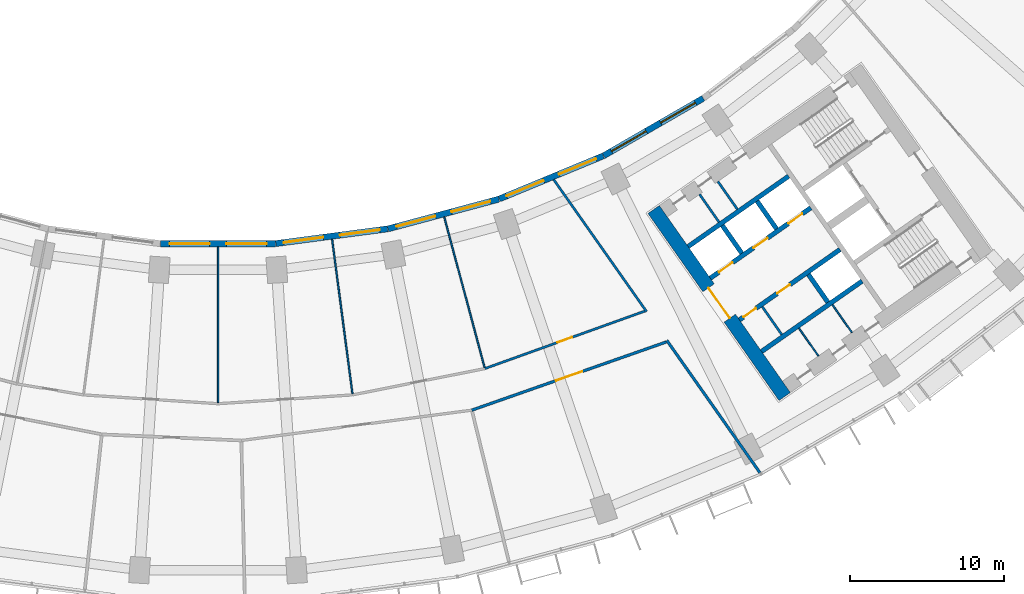
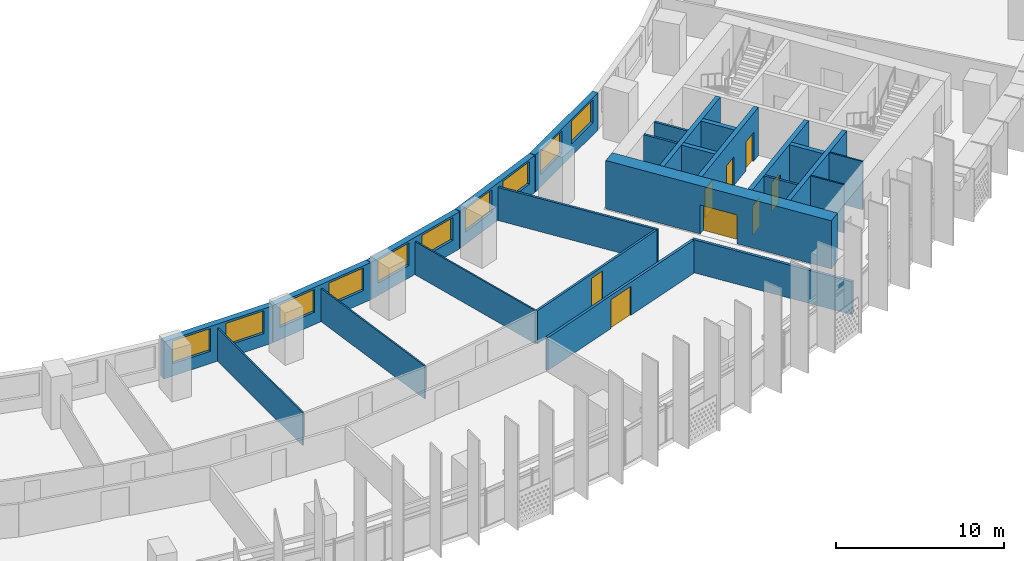
# One storey, part 6 of 31: 25 walls, 10 windows, 8 doors, 18 openings.
"""IFC4 building model written with IfcOpenShell, lengths in metres."""

from ifc_helpers import new_model, si_unit, direction, frame, frame_2d, origin, place, context, subcontext, project, spatial, rectangle, extrude, material, layer, layer_set, type_object, element, fill, save


model = new_model("IFC4")

# Units and contexts
model_context = context("Model", 3, precision=1e-05, world=origin(), true_north=direction((0.0, 1.0)))
body_context = subcontext(model_context, "Body", "Model", "MODEL_VIEW")
ifc_project = project(units=[si_unit("LENGTHUNIT", "METRE"), si_unit("AREAUNIT", "SQUARE_METRE"), si_unit("VOLUMEUNIT", "CUBIC_METRE"), si_unit("PLANEANGLEUNIT", "RADIAN"), si_unit("MASSUNIT", "GRAM", prefix="KILO")], contexts=[model_context])

# Site, building, storey
site_placement = place(None, origin())
site = spatial("IfcSite", under=ifc_project, at=site_placement, CompositionType="ELEMENT")
building_placement = place(site_placement, origin())
building = spatial("IfcBuilding", under=site, at=building_placement, Name="Qamariyya Broadcast Tower", CompositionType="ELEMENT")
storey_placement = place(building_placement, frame((0.0, 0.0, 55.699951171875)))
storey = spatial("IfcBuildingStorey", under=building, at=storey_placement, Name="L10", CompositionType="ELEMENT", Elevation=55.699951171875)

# Wall, opening, door
ifc_material_1 = material(Name="Concrete C70/85", Category="concrete")
ifc_layer_1 = layer(ifc_material_1, 0.89990234375)
ifc_layer_set_1 = layer_set([ifc_layer_1], Name="Core wall 900 mm Concrete C70/85")
wall_type_1 = type_object("IfcWallType", Name="Core wall 900 mm Concrete C70/85", PredefinedType="SHEAR", material=ifc_layer_set_1)
wall_1_placement = place(storey_placement, frame((36.716796875, -66.3369140625, 0.0), z_axis=(0.0, 0.0, 1.0), x_axis=(-0.573577477574, 0.819151315216, 0.0)))
wall_1 = element("IfcWall", 1, at=wall_1_placement, inside=storey, type_object=wall_type_1, Name="k-E-L10-WA", PredefinedType="SHEAR", context=body_context, shape_type="SweptSolid", body=[
    extrude(rectangle(XDim=14.800048828125, YDim=0.89990234375, at=frame_2d((7.39990234375, 0.0))), origin(), (0.0, 0.0, 1.0), 3.5),
])
opening_1_placement = place(wall_1_placement, frame((6.199951171875, 0.0, 0.0)))
opening_1 = element("IfcOpeningElement", 2, at=opening_1_placement, cuts=wall_1, Name="Opening KD3-E1", PredefinedType="OPENING", context=body_context, shape_type="SweptSolid", body=[
    extrude(rectangle(XDim=2.39990234375, YDim=2.10009765625, at=frame_2d((1.199951171875, 1.050048828125))), frame((0.0, 0.4599609375, 0.0), z_axis=(0.0, -1.0, 0.0), x_axis=(1.0, 0.0, 0.0)), (0.0, 0.0, 1.0), 0.919921875),
])
ifc_material_2 = material(Name="Steel fire-resisting door leaf", Category="steel")
door_type_1 = type_object("IfcDoorType", Name="Lift lobby door KD3", OperationType="DOUBLE_DOOR_SINGLE_SWING", PredefinedType="DOOR", material=ifc_material_2)
door_1_placement = place(opening_1_placement, origin())
door_1 = element("IfcDoor", 3, at=door_1_placement, inside=storey, type_object=door_type_1, Name="k-E-L10-WA-D1", OperationType="DOUBLE_DOOR_SINGLE_SWING", OverallHeight=2.10009765625, OverallWidth=2.39990234375, PredefinedType="DOOR", context=body_context, shape_type="SweptSolid", body=[
    extrude(rectangle(XDim=2.39990234375, YDim=2.10009765625, at=frame_2d((1.199951171875, 1.050048828125))), frame((0.0, 0.02490234375, 0.0), z_axis=(0.0, -1.0, 0.0), x_axis=(1.0, 0.0, 0.0)), (0.0, 0.0, 1.0), 0.050048828125),
])
fill(opening_1, door_1)

ifc_material_3 = material(Name="Gypsum board partition")
ifc_layer_2 = layer(ifc_material_3, 0.14990234375)
ifc_layer_set_2 = layer_set([ifc_layer_2], Name="Corridor partition 150 EI 60")
wall_type_2 = type_object("IfcWallType", Name="Corridor partition 150 EI 60", PredefinedType="PARTITIONING", material=ifc_layer_set_2)
wall_2_placement = place(storey_placement, frame((17.2890625, -64.52392578125, 0.0), z_axis=(0.0, 0.0, 1.0), x_axis=(0.941106453562, 0.338110400705, 0.0)))
wall_2 = element("IfcWall", 4, at=wall_2_placement, inside=storey, type_object=wall_type_2, Name="Partition L10-023", PredefinedType="PARTITIONING", context=body_context, shape_type="SweptSolid", body=[
    extrude(rectangle(XDim=11.015869140625, YDim=0.14990234375, at=frame_2d((5.5078125, 0.0))), origin(), (0.0, 0.0, 1.0), 2.400146484375),
])
opening_2_placement = place(wall_2_placement, frame((5.008056640625, 0.0, 0.0)))
opening_2 = element("IfcOpeningElement", 5, at=opening_2_placement, cuts=wall_2, Name="Opening L10-D11", PredefinedType="OPENING", context=body_context, shape_type="SweptSolid", body=[
    extrude(rectangle(XDim=1.0, YDim=2.10009765625, at=frame_2d((0.5, 1.050048828125))), frame((0.0, 0.0849609375, 0.0), z_axis=(0.0, -1.0, 0.0), x_axis=(1.0, 0.0, 0.0)), (0.0, 0.0, 1.0), 0.169921875),
])
ifc_material_4 = material(Name="Timber fire door leaf", Category="wood")
door_type_2 = type_object("IfcDoorType", Name="Fire door 1000 x 2100 FD60", OperationType="NOTDEFINED", PredefinedType="DOOR", material=ifc_material_4)
door_2_placement = place(opening_2_placement, origin())
door_2 = element("IfcDoor", 6, at=door_2_placement, inside=storey, type_object=door_type_2, Name="Door L10-D11", OperationType="SINGLE_SWING_RIGHT", OverallHeight=2.10009765625, OverallWidth=1.0, PredefinedType="DOOR", context=body_context, shape_type="SweptSolid", body=[
    extrude(rectangle(XDim=1.0, YDim=2.10009765625, at=frame_2d((0.5, 1.050048828125))), frame((0.0, 0.02490234375, 0.0), z_axis=(0.0, -1.0, 0.0), x_axis=(1.0, 0.0, 0.0)), (0.0, 0.0, 1.0), 0.050048828125),
])
fill(opening_2, door_2)

# Walls
wall_3_placement = place(storey_placement, frame((21.748291015625, -52.2763671875, 0.0), z_axis=(0.0, 0.0, 1.0), x_axis=(0.575419434668, -0.817858468322, 0.0)))
element("IfcWall", 7, at=wall_3_placement, inside=storey, type_object=wall_type_2, Name="Partition L10-025", PredefinedType="PARTITIONING", context=body_context, shape_type="SweptSolid", body=[
    extrude(rectangle(XDim=10.46484375, YDim=0.14990234375, at=frame_2d((5.232421875, 0.0))), origin(), (0.0, 0.0, 1.0), 2.400146484375),
])
ifc_material_5 = material(Name="Gypsum board partition on steel studs", Category="steel")
ifc_layer_3 = layer(ifc_material_5, 0.14990234375)
ifc_layer_set_3 = layer_set([ifc_layer_3], Name="Gypsum board partition 150 mm")
wall_type_3 = type_object("IfcWallType", Name="Gypsum board partition 150 mm", PredefinedType="PARTITIONING", material=ifc_layer_set_3)
wall_4_placement = place(storey_placement, frame((35.26611328125, -60.5166015625, 0.0), z_axis=(0.0, 0.0, 1.0), x_axis=(0.573559170999, -0.819164133348, 0.0)))
element("IfcWall", 8, at=wall_4_placement, inside=storey, type_object=wall_type_3, Name="k-E-L10-SC170", PredefinedType="PARTITIONING", context=body_context, shape_type="SweptSolid", body=[
    extrude(rectangle(XDim=2.19970703125, YDim=0.14990234375, at=frame_2d((1.099853515625, 0.0))), origin(), (0.0, 0.0, 1.0), 3.5),
])
wall_5_placement = place(storey_placement, frame((32.46337890625, -55.0322265625, 0.0), z_axis=(0.0, 0.0, 1.0), x_axis=(-0.573507030513, 0.819200638399, 0.0)))
element("IfcWall", 9, at=wall_5_placement, inside=storey, type_object=wall_type_3, Name="k-E-L10-NP255", PredefinedType="PARTITIONING", context=body_context, shape_type="SweptSolid", body=[
    extrude(rectangle(XDim=2.199951171875, YDim=0.14990234375, at=frame_2d((1.10009765625, 0.0))), origin(), (0.0, 0.0, 1.0), 3.5),
])
wall_6_placement = place(storey_placement, frame((33.651123046875, -54.200439453125, 0.0), z_axis=(0.0, 0.0, 1.0), x_axis=(-0.573559170999, 0.819164133348, 0.0)))
element("IfcWall", 10, at=wall_6_placement, inside=storey, type_object=wall_type_3, Name="k-E-L10-NP400", PredefinedType="PARTITIONING", context=body_context, shape_type="SweptSolid", body=[
    extrude(rectangle(XDim=2.19970703125, YDim=0.14990234375, at=frame_2d((1.099853515625, 0.0))), origin(), (0.0, 0.0, 1.0), 3.5),
])

# Wall, openings, doors
ifc_material_6 = material(Name="Concrete C60/75", Category="concrete")
ifc_layer_4 = layer(ifc_material_6, 0.300048828125)
ifc_layer_set_4 = layer_set([ifc_layer_4], Name="Lift shaft wall 300 mm Concrete C60/75")
wall_type_4 = type_object("IfcWallType", Name="Lift shaft wall 300 mm Concrete C60/75", PredefinedType="SOLIDWALL", material=ifc_layer_set_4)
wall_7_placement = place(storey_placement, frame((31.89453125, -58.66552734375, 0.0), z_axis=(0.0, 0.0, 1.0), x_axis=(0.819166993208, 0.573555086491, 0.0)))
wall_7 = element("IfcWall", 11, at=wall_7_placement, inside=storey, type_object=wall_type_4, Name="k-E-L10-NF0", PredefinedType="SOLIDWALL", context=body_context, shape_type="SweptSolid", body=[
    extrude(rectangle(XDim=7.9501953125, YDim=0.300048828125, at=frame_2d((3.97509765625, 0.0))), origin(), (0.0, 0.0, 1.0), 3.5),
])
opening_3_placement = place(wall_7_placement, frame((0.675048828125, 0.0, 0.0)))
opening_3 = element("IfcOpeningElement", 12, at=opening_3_placement, cuts=wall_7, Name="Opening LD", PredefinedType="OPENING", context=body_context, shape_type="SweptSolid", body=[
    extrude(rectangle(XDim=1.10009765625, YDim=2.10009765625, at=frame_2d((0.550048828125, 1.050048828125))), frame((0.0, 0.159912109375, 0.0), z_axis=(0.0, -1.0, 0.0), x_axis=(1.0, 0.0, 0.0)), (0.0, 0.0, 1.0), 0.320068359375),
])
opening_4_placement = place(wall_7_placement, frame((3.425048828125, 0.0, 0.0)))
opening_4 = element("IfcOpeningElement", 13, at=opening_4_placement, cuts=wall_7, Name="Opening LD", PredefinedType="OPENING", context=body_context, shape_type="SweptSolid", body=[
    extrude(rectangle(XDim=1.10009765625, YDim=2.10009765625, at=frame_2d((0.550048828125, 1.050048828125))), frame((0.0, 0.159912109375, 0.0), z_axis=(0.0, -1.0, 0.0), x_axis=(1.0, 0.0, 0.0)), (0.0, 0.0, 1.0), 0.320068359375),
])
opening_5_placement = place(wall_7_placement, frame((6.175048828125, 0.0, 0.0)))
opening_5 = element("IfcOpeningElement", 14, at=opening_5_placement, cuts=wall_7, Name="Opening LD", PredefinedType="OPENING", context=body_context, shape_type="SweptSolid", body=[
    extrude(rectangle(XDim=1.10009765625, YDim=2.10009765625, at=frame_2d((0.550048828125, 1.050048828125))), frame((0.0, 0.159912109375, 0.0), z_axis=(0.0, -1.0, 0.0), x_axis=(1.0, 0.0, 0.0)), (0.0, 0.0, 1.0), 0.320068359375),
])
door_type_3 = type_object("IfcDoorType", Name="Lift landing door LD", OperationType="DOUBLE_DOOR_SLIDING", PredefinedType="DOOR", material=ifc_material_2)
door_3_placement = place(opening_3_placement, origin())
door_3 = element("IfcDoor", 15, at=door_3_placement, inside=storey, type_object=door_type_3, Name="k-E-L10-NF0-D2", OperationType="DOUBLE_DOOR_SLIDING", OverallHeight=2.10009765625, OverallWidth=1.10009765625, PredefinedType="DOOR", context=body_context, shape_type="SweptSolid", body=[
    extrude(rectangle(XDim=1.10009765625, YDim=2.10009765625, at=frame_2d((0.550048828125, 1.050048828125))), frame((0.0, 0.02490234375, 0.0), z_axis=(0.0, -1.0, 0.0), x_axis=(1.0, 0.0, 0.0)), (0.0, 0.0, 1.0), 0.050048828125),
])
fill(opening_3, door_3)
door_4_placement = place(opening_4_placement, origin())
door_4 = element("IfcDoor", 16, at=door_4_placement, inside=storey, type_object=door_type_3, Name="k-E-L10-NF0-D3", OperationType="DOUBLE_DOOR_SLIDING", OverallHeight=2.10009765625, OverallWidth=1.10009765625, PredefinedType="DOOR", context=body_context, shape_type="SweptSolid", body=[
    extrude(rectangle(XDim=1.10009765625, YDim=2.10009765625, at=frame_2d((0.550048828125, 1.050048828125))), frame((0.0, 0.02490234375, 0.0), z_axis=(0.0, -1.0, 0.0), x_axis=(1.0, 0.0, 0.0)), (0.0, 0.0, 1.0), 0.050048828125),
])
fill(opening_4, door_4)
door_5_placement = place(opening_5_placement, origin())
door_5 = element("IfcDoor", 17, at=door_5_placement, inside=storey, type_object=door_type_3, Name="k-E-L10-NF0-D4", OperationType="DOUBLE_DOOR_SLIDING", OverallHeight=2.10009765625, OverallWidth=1.10009765625, PredefinedType="DOOR", context=body_context, shape_type="SweptSolid", body=[
    extrude(rectangle(XDim=1.10009765625, YDim=2.10009765625, at=frame_2d((0.550048828125, 1.050048828125))), frame((0.0, 0.02490234375, 0.0), z_axis=(0.0, -1.0, 0.0), x_axis=(1.0, 0.0, 0.0)), (0.0, 0.0, 1.0), 0.050048828125),
])
fill(opening_5, door_5)

# Walls
wall_8_placement = place(storey_placement, frame((30.460693359375, -56.61767578125, 0.0), z_axis=(0.0, 0.0, 1.0), x_axis=(0.819142461705, 0.573590121456, 0.0)))
element("IfcWall", 18, at=wall_8_placement, inside=storey, type_object=wall_type_4, Name="k-E-L10-NB0", PredefinedType="SOLIDWALL", context=body_context, shape_type="SweptSolid", body=[
    extrude(rectangle(XDim=7.949951171875, YDim=0.300048828125, at=frame_2d((3.97509765625, 0.0))), origin(), (0.0, 0.0, 1.0), 3.5),
])
wall_9_placement = place(storey_placement, frame((33.9384765625, -57.051513671875, 0.0), z_axis=(0.0, 0.0, 1.0), x_axis=(-0.573581496053, 0.819148501424, 0.0)))
element("IfcWall", 19, at=wall_9_placement, inside=storey, type_object=wall_type_4, Name="k-E-L10-ND0", PredefinedType="SOLIDWALL", context=body_context, shape_type="SweptSolid", body=[
    extrude(rectangle(XDim=2.2001953125, YDim=0.300048828125, at=frame_2d((1.10009765625, 0.0))), origin(), (0.0, 0.0, 1.0), 3.5),
])
wall_10_placement = place(storey_placement, frame((36.19091796875, -55.47412109375, 0.0), z_axis=(0.0, 0.0, 1.0), x_axis=(-0.573507030513, 0.819200638399, 0.0)))
element("IfcWall", 20, at=wall_10_placement, inside=storey, type_object=wall_type_4, Name="k-E-L10-ND1", PredefinedType="SOLIDWALL", context=body_context, shape_type="SweptSolid", body=[
    extrude(rectangle(XDim=2.199951171875, YDim=0.300048828125, at=frame_2d((1.10009765625, 0.0))), origin(), (0.0, 0.0, 1.0), 3.5),
])

# Wall, openings, doors
wall_11_placement = place(storey_placement, frame((33.787353515625, -61.368896484375, 0.0), z_axis=(0.0, 0.0, 1.0), x_axis=(0.819152564888, 0.573575692858, 0.0)))
wall_11 = element("IfcWall", 21, at=wall_11_placement, inside=storey, type_object=wall_type_4, Name="k-E-L10-SF0", PredefinedType="SOLIDWALL", context=body_context, shape_type="SweptSolid", body=[
    extrude(rectangle(XDim=7.9501953125, YDim=0.300048828125, at=frame_2d((3.97509765625, 0.0))), origin(), (0.0, 0.0, 1.0), 3.5),
])
opening_6_placement = place(wall_11_placement, frame((0.3125, 0.0, 0.0)))
opening_6 = element("IfcOpeningElement", 22, at=opening_6_placement, cuts=wall_11, Name="Opening KD4-E1", PredefinedType="OPENING", context=body_context, shape_type="SweptSolid", body=[
    extrude(rectangle(XDim=1.0, YDim=2.10009765625, at=frame_2d((0.5, 1.050048828125))), frame((0.0, 0.159912109375, 0.0), z_axis=(0.0, -1.0, 0.0), x_axis=(1.0, 0.0, 0.0)), (0.0, 0.0, 1.0), 0.320068359375),
])
opening_7_placement = place(wall_11_placement, frame((2.987548828125, 0.0, 0.0)))
opening_7 = element("IfcOpeningElement", 23, at=opening_7_placement, cuts=wall_11, Name="Opening KD6-E1", PredefinedType="OPENING", context=body_context, shape_type="SweptSolid", body=[
    extrude(rectangle(XDim=1.0, YDim=2.10009765625, at=frame_2d((0.5, 1.050048828125))), frame((0.0, 0.159912109375, 0.0), z_axis=(0.0, -1.0, 0.0), x_axis=(1.0, 0.0, 0.0)), (0.0, 0.0, 1.0), 0.320068359375),
])
door_type_4 = type_object("IfcDoorType", Name="Core room door KD6", OperationType="SINGLE_SWING_LEFT", PredefinedType="DOOR", material=ifc_material_2)
door_6_placement = place(opening_7_placement, origin())
door_6 = element("IfcDoor", 24, at=door_6_placement, inside=storey, type_object=door_type_4, Name="k-E-L10-SF0-D6", OperationType="SINGLE_SWING_RIGHT", OverallHeight=2.10009765625, OverallWidth=1.0, PredefinedType="DOOR", context=body_context, shape_type="SweptSolid", body=[
    extrude(rectangle(XDim=1.0, YDim=2.10009765625, at=frame_2d((0.5, 1.050048828125))), frame((0.0, 0.02490234375, 0.0), z_axis=(0.0, -1.0, 0.0), x_axis=(1.0, 0.0, 0.0)), (0.0, 0.0, 1.0), 0.050048828125),
])
fill(opening_7, door_6)
door_type_5 = type_object("IfcDoorType", Name="Riser and plant door KD4", OperationType="SINGLE_SWING_LEFT", PredefinedType="DOOR", material=ifc_material_2)
door_7_placement = place(opening_6_placement, origin())
door_7 = element("IfcDoor", 25, at=door_7_placement, inside=storey, type_object=door_type_5, Name="k-E-L10-SF0-D5", OperationType="SINGLE_SWING_LEFT", OverallHeight=2.10009765625, OverallWidth=1.0, PredefinedType="DOOR", context=body_context, shape_type="SweptSolid", body=[
    extrude(rectangle(XDim=1.0, YDim=2.10009765625, at=frame_2d((0.5, 1.050048828125))), frame((0.0, 0.02490234375, 0.0), z_axis=(0.0, -1.0, 0.0), x_axis=(1.0, 0.0, 0.0)), (0.0, 0.0, 1.0), 0.050048828125),
])
fill(opening_6, door_7)

# Walls
wall_12_placement = place(storey_placement, frame((35.22119140625, -63.41650390625, 0.0), z_axis=(0.0, 0.0, 1.0), x_axis=(0.819166993208, 0.573555086491, 0.0)))
element("IfcWall", 26, at=wall_12_placement, inside=storey, type_object=wall_type_4, Name="k-E-L10-SB0", PredefinedType="SOLIDWALL", context=body_context, shape_type="SweptSolid", body=[
    extrude(rectangle(XDim=7.9501953125, YDim=0.300048828125, at=frame_2d((3.97509765625, 0.0))), origin(), (0.0, 0.0, 1.0), 3.5),
])
wall_13_placement = place(storey_placement, frame((38.255859375, -58.423095703125, 0.0), z_axis=(0.0, 0.0, 1.0), x_axis=(0.573633636671, -0.819111989218, 0.0)))
element("IfcWall", 27, at=wall_13_placement, inside=storey, type_object=wall_type_4, Name="k-E-L10-SD1", PredefinedType="SOLIDWALL", context=body_context, shape_type="SweptSolid", body=[
    extrude(rectangle(XDim=2.199951171875, YDim=0.300048828125, at=frame_2d((1.10009765625, 0.0))), origin(), (0.0, 0.0, 1.0), 3.5),
])
ifc_layer_5 = layer(ifc_material_3, 0.10009765625)
ifc_layer_set_5 = layer_set([ifc_layer_5], Name="Partition 100")
wall_type_5 = type_object("IfcWallType", Name="Partition 100", PredefinedType="PARTITIONING", material=ifc_layer_set_5)
for number, where, z_axis, x_axis, name in (
    (28, (0.0, -56.62939453125, 0.0), (0.0, 0.0, 1.0), (0.0, -1.0, 0.0), "Partition L10-016"),
    (29, (7.3916015625, -56.144775390625, 0.0), (0.0, 0.0, 1.0), (0.130538336764, -0.991443262439, 0.0), "Partition L10-019"),
    (30, (14.65673828125, -54.69970703125, 0.0), (0.0, 0.0, 1.0), (0.258825935876, -0.965923979885, 0.0), "Partition L10-021"),
):
    element("IfcWall", number, at=place(storey_placement, frame(where, z_axis=z_axis, x_axis=x_axis)), inside=storey, type_object=wall_type_5, Name=name, PredefinedType="PARTITIONING", context=body_context, shape_type="SweptSolid", body=[
        extrude(rectangle(XDim=10.095703125, YDim=0.10009765625, at=frame_2d((5.0478515625, 0.0))), origin(), (0.0, 0.0, 1.0), 2.400146484375),
    ])
ifc_material_7 = material(Name="Fire-rated gypsum shaft liner on steel studs", Category="steel")
ifc_layer_6 = layer(ifc_material_7, 0.10009765625)
ifc_layer_set_6 = layer_set([ifc_layer_6], Name="Riser wall 100 mm")
wall_type_6 = type_object("IfcWallType", Name="Riser wall 100 mm", PredefinedType="PLUMBINGWALL", material=ifc_layer_set_6)
wall_14_placement = place(storey_placement, frame((37.64208984375, -61.90478515625, 0.0), z_axis=(0.0, 0.0, 1.0), x_axis=(0.573507030513, -0.819200638399, 0.0)))
element("IfcWall", 31, at=wall_14_placement, inside=storey, type_object=wall_type_6, Name="k-E-L10-SP285", PredefinedType="PLUMBINGWALL", context=body_context, shape_type="SweptSolid", body=[
    extrude(rectangle(XDim=2.199951171875, YDim=0.10009765625, at=frame_2d((1.10009765625, 0.0))), origin(), (0.0, 0.0, 1.0), 3.5),
])
wall_15_placement = place(storey_placement, frame((39.812744140625, -60.384765625, 0.0), z_axis=(0.0, 0.0, 1.0), x_axis=(0.573581496053, -0.819148501424, 0.0)))
element("IfcWall", 32, at=wall_15_placement, inside=storey, type_object=wall_type_6, Name="k-E-L10-SP550", PredefinedType="PLUMBINGWALL", context=body_context, shape_type="SweptSolid", body=[
    extrude(rectangle(XDim=2.2001953125, YDim=0.10009765625, at=frame_2d((1.10009765625, 0.0))), origin(), (0.0, 0.0, 1.0), 3.5),
])

# Wall, opening, door
ifc_layer_7 = layer(ifc_material_3, 0.179931640625)
ifc_layer_set_7 = layer_set([ifc_layer_7], Name="Studio acoustic partition 180 EI 60")
wall_type_7 = type_object("IfcWallType", Name="Studio acoustic partition 180 EI 60", PredefinedType="PARTITIONING", material=ifc_layer_set_7)
wall_16_placement = place(storey_placement, frame((29.046142578125, -62.79931640625, 0.0), z_axis=(0.0, 0.0, 1.0), x_axis=(-0.943672917597, -0.330879773626, 0.0)))
wall_16 = element("IfcWall", 33, at=wall_16_placement, inside=storey, type_object=wall_type_7, Name="Partition L10-022", PredefinedType="PARTITIONING", context=body_context, shape_type="SweptSolid", body=[
    extrude(rectangle(XDim=13.352294921875, YDim=0.179931640625, at=frame_2d((6.67626953125, 0.0))), origin(), (0.0, 0.0, 1.0), 2.400146484375),
])
opening_8_placement = place(wall_16_placement, frame((5.776123046875, 0.0, 0.0)))
opening_8 = element("IfcOpeningElement", 34, at=opening_8_placement, cuts=wall_16, Name="Opening L10-D04", PredefinedType="OPENING", context=body_context, shape_type="SweptSolid", body=[
    extrude(rectangle(XDim=1.800048828125, YDim=2.10009765625, at=frame_2d((0.89990234375, 1.050048828125))), frame((0.0, 0.099853515625, 0.0), z_axis=(0.0, -1.0, 0.0), x_axis=(1.0, 0.0, 0.0)), (0.0, 0.0, 1.0), 0.199951171875),
])
door_type_6 = type_object("IfcDoorType", Name="Double fire door 1800 x 2100 FD60", OperationType="NOTDEFINED", PredefinedType="DOOR", material=ifc_material_4)
door_8_placement = place(opening_8_placement, origin())
door_8 = element("IfcDoor", 35, at=door_8_placement, inside=storey, type_object=door_type_6, Name="Door L10-D04", OperationType="DOUBLE_DOOR_SINGLE_SWING", OverallHeight=2.10009765625, OverallWidth=1.800048828125, PredefinedType="DOOR", context=body_context, shape_type="SweptSolid", body=[
    extrude(rectangle(XDim=1.800048828125, YDim=2.10009765625, at=frame_2d((0.89990234375, 1.050048828125))), frame((0.0, 0.02490234375, 0.0), z_axis=(0.0, -1.0, 0.0), x_axis=(1.0, 0.0, 0.0)), (0.0, 0.0, 1.0), 0.050048828125),
])
fill(opening_8, door_8)

# Wall
wall_17_placement = place(storey_placement, frame((29.0791015625, -62.696044921875, 0.0), z_axis=(0.0, 0.0, 1.0), x_axis=(0.575424777214, -0.817854709449, 0.0)))
element("IfcWall", 36, at=wall_17_placement, inside=storey, type_object=wall_type_7, Name="Partition L10-026", PredefinedType="PARTITIONING", context=body_context, shape_type="SweptSolid", body=[
    extrude(rectangle(XDim=10.486572265625, YDim=0.179931640625, at=frame_2d((5.2431640625, 0.0))), origin(), (0.0, 0.0, 1.0), 2.400146484375),
])

# Wall, openings, windows
ifc_material_8 = material(Name="Terracotta", Category="masonry")
ifc_layer_8 = layer(ifc_material_8, 0.39990234375)
ifc_layer_set_8 = layer_set([ifc_layer_8], Name="Terracotta clad wall 400")
wall_type_8 = type_object("IfcWallType", Name="Terracotta clad wall 400", PredefinedType="SOLIDWALL", material=ifc_layer_set_8)
wall_18_placement = place(storey_placement, frame((18.20166015625, -53.542724609375, 0.0), z_axis=(0.0, 0.0, 1.0), x_axis=(-0.965924637935, -0.25882348006, 0.0)))
wall_18 = element("IfcWall", 37, at=wall_18_placement, inside=storey, type_object=wall_type_8, Name="e-wl-L10-in100", PredefinedType="SOLIDWALL", context=body_context, shape_type="SweptSolid", body=[
    extrude(rectangle(XDim=7.447021484375, YDim=0.39990234375, at=frame_2d((3.7236328125, 0.0))), origin(), (0.0, 0.0, 1.0), 2.699951171875),
])
opening_9_placement = place(wall_18_placement, frame((4.266357421875, 0.0, 0.89990234375)))
opening_9 = element("IfcOpeningElement", 38, at=opening_9_placement, cuts=wall_18, Name="Opening W1", PredefinedType="OPENING", context=body_context, shape_type="SweptSolid", body=[
    extrude(rectangle(XDim=2.60009765625, YDim=1.64990234375, at=frame_2d((1.300048828125, 0.824951171875))), frame((0.0, 0.2099609375, 0.0), z_axis=(0.0, -1.0, 0.0), x_axis=(1.0, 0.0, 0.0)), (0.0, 0.0, 1.0), 0.419921875),
])
opening_10_placement = place(wall_18_placement, frame((0.580810546875, 0.0, 0.89990234375)))
opening_10 = element("IfcOpeningElement", 39, at=opening_10_placement, cuts=wall_18, Name="Opening W1", PredefinedType="OPENING", context=body_context, shape_type="SweptSolid", body=[
    extrude(rectangle(XDim=2.60009765625, YDim=1.64990234375, at=frame_2d((1.300048828125, 0.824951171875))), frame((0.0, 0.2099609375, 0.0), z_axis=(0.0, -1.0, 0.0), x_axis=(1.0, 0.0, 0.0)), (0.0, 0.0, 1.0), 0.419921875),
])
ifc_material_9 = material(Name="Clear low-e double glazed unit in aluminium frame", Category="aluminium")
window_type = type_object("IfcWindowType", Name="Ribbon window 2600 x 1650", PartitioningType="SINGLE_PANEL", PredefinedType="WINDOW", material=ifc_material_9)
window_1_placement = place(opening_9_placement, origin())
window_1 = element("IfcWindow", 40, at=window_1_placement, inside=storey, type_object=window_type, Name="e-w-L10-in10-0", OverallHeight=1.64990234375, OverallWidth=2.60009765625, PartitioningType="SINGLE_PANEL", PredefinedType="WINDOW", context=body_context, shape_type="SweptSolid", body=[
    extrude(rectangle(XDim=2.60009765625, YDim=1.64990234375, at=frame_2d((1.300048828125, 0.824951171875))), frame((0.0, 0.030029296875, 0.0), z_axis=(0.0, -1.0, 0.0), x_axis=(1.0, 0.0, 0.0)), (0.0, 0.0, 1.0), 0.06005859375),
])
fill(opening_9, window_1)
window_2_placement = place(opening_10_placement, origin())
window_2 = element("IfcWindow", 41, at=window_2_placement, inside=storey, type_object=window_type, Name="e-w-L10-in10-1", OverallHeight=1.64990234375, OverallWidth=2.60009765625, PartitioningType="SINGLE_PANEL", PredefinedType="WINDOW", context=body_context, shape_type="SweptSolid", body=[
    extrude(rectangle(XDim=2.60009765625, YDim=1.64990234375, at=frame_2d((1.300048828125, 0.824951171875))), frame((0.0, 0.030029296875, 0.0), z_axis=(0.0, -1.0, 0.0), x_axis=(1.0, 0.0, 0.0)), (0.0, 0.0, 1.0), 0.06005859375),
])
fill(opening_10, window_2)

wall_19_placement = place(storey_placement, frame((24.96484375, -50.738037109375, 0.0), z_axis=(0.0, 0.0, 1.0), x_axis=(-0.923891626322, -0.382654234018, 0.0)))
wall_19 = element("IfcWall", 42, at=wall_19_placement, inside=storey, type_object=wall_type_8, Name="e-wl-L10-in110", PredefinedType="SOLIDWALL", context=body_context, shape_type="SweptSolid", body=[
    extrude(rectangle(XDim=7.295654296875, YDim=0.39990234375, at=frame_2d((3.64794921875, 0.0))), origin(), (0.0, 0.0, 1.0), 2.699951171875),
])
opening_11_placement = place(wall_19_placement, frame((4.190673828125, 0.0, 0.89990234375)))
opening_11 = element("IfcOpeningElement", 43, at=opening_11_placement, cuts=wall_19, Name="Opening W1", PredefinedType="OPENING", context=body_context, shape_type="SweptSolid", body=[
    extrude(rectangle(XDim=2.60009765625, YDim=1.64990234375, at=frame_2d((1.300048828125, 0.824951171875))), frame((0.0, 0.2099609375, 0.0), z_axis=(0.0, -1.0, 0.0), x_axis=(1.0, 0.0, 0.0)), (0.0, 0.0, 1.0), 0.419921875),
])
opening_12_placement = place(wall_19_placement, frame((0.505126953125, 0.0, 0.89990234375)))
opening_12 = element("IfcOpeningElement", 44, at=opening_12_placement, cuts=wall_19, Name="Opening W1", PredefinedType="OPENING", context=body_context, shape_type="SweptSolid", body=[
    extrude(rectangle(XDim=2.60009765625, YDim=1.64990234375, at=frame_2d((1.300048828125, 0.824951171875))), frame((0.0, 0.2099609375, 0.0), z_axis=(0.0, -1.0, 0.0), x_axis=(1.0, 0.0, 0.0)), (0.0, 0.0, 1.0), 0.419921875),
])
window_3_placement = place(opening_11_placement, origin())
window_3 = element("IfcWindow", 45, at=window_3_placement, inside=storey, type_object=window_type, Name="e-w-L10-in11-0", OverallHeight=1.64990234375, OverallWidth=2.60009765625, PartitioningType="SINGLE_PANEL", PredefinedType="WINDOW", context=body_context, shape_type="SweptSolid", body=[
    extrude(rectangle(XDim=2.60009765625, YDim=1.64990234375, at=frame_2d((1.300048828125, 0.824951171875))), frame((0.0, 0.030029296875, 0.0), z_axis=(0.0, -1.0, 0.0), x_axis=(1.0, 0.0, 0.0)), (0.0, 0.0, 1.0), 0.06005859375),
])
fill(opening_11, window_3)
window_4_placement = place(opening_12_placement, origin())
window_4 = element("IfcWindow", 46, at=window_4_placement, inside=storey, type_object=window_type, Name="e-w-L10-in11-1", OverallHeight=1.64990234375, OverallWidth=2.60009765625, PartitioningType="SINGLE_PANEL", PredefinedType="WINDOW", context=body_context, shape_type="SweptSolid", body=[
    extrude(rectangle(XDim=2.60009765625, YDim=1.64990234375, at=frame_2d((1.300048828125, 0.824951171875))), frame((0.0, 0.030029296875, 0.0), z_axis=(0.0, -1.0, 0.0), x_axis=(1.0, 0.0, 0.0)), (0.0, 0.0, 1.0), 0.06005859375),
])
fill(opening_12, window_4)

wall_20_placement = place(storey_placement, frame((31.439453125, -47.007568359375, 0.0), z_axis=(0.0, 0.0, 1.0), x_axis=(-0.866037641005, -0.499978803913, 0.0)))
wall_20 = element("IfcWall", 47, at=wall_20_placement, inside=storey, type_object=wall_type_8, Name="e-wl-L10-in120", PredefinedType="SOLIDWALL", context=body_context, shape_type="SweptSolid", body=[
    extrude(rectangle(XDim=7.447021484375, YDim=0.39990234375, at=frame_2d((3.7236328125, 0.0))), origin(), (0.0, 0.0, 1.0), 2.699951171875),
])
opening_13_placement = place(wall_20_placement, frame((4.266357421875, 0.0, 0.89990234375)))
opening_13 = element("IfcOpeningElement", 48, at=opening_13_placement, cuts=wall_20, Name="Opening W1", PredefinedType="OPENING", context=body_context, shape_type="SweptSolid", body=[
    extrude(rectangle(XDim=2.60009765625, YDim=1.64990234375, at=frame_2d((1.300048828125, 0.824951171875))), frame((0.0, 0.2099609375, 0.0), z_axis=(0.0, -1.0, 0.0), x_axis=(1.0, 0.0, 0.0)), (0.0, 0.0, 1.0), 0.419921875),
])
opening_14_placement = place(wall_20_placement, frame((0.580810546875, 0.0, 0.89990234375)))
opening_14 = element("IfcOpeningElement", 49, at=opening_14_placement, cuts=wall_20, Name="Opening W1", PredefinedType="OPENING", context=body_context, shape_type="SweptSolid", body=[
    extrude(rectangle(XDim=2.60009765625, YDim=1.64990234375, at=frame_2d((1.300048828125, 0.824951171875))), frame((0.0, 0.2099609375, 0.0), z_axis=(0.0, -1.0, 0.0), x_axis=(1.0, 0.0, 0.0)), (0.0, 0.0, 1.0), 0.419921875),
])
window_5_placement = place(opening_13_placement, origin())
window_5 = element("IfcWindow", 50, at=window_5_placement, inside=storey, type_object=window_type, Name="e-w-L10-in12-0", OverallHeight=1.64990234375, OverallWidth=2.60009765625, PartitioningType="SINGLE_PANEL", PredefinedType="WINDOW", context=body_context, shape_type="SweptSolid", body=[
    extrude(rectangle(XDim=2.60009765625, YDim=1.64990234375, at=frame_2d((1.300048828125, 0.824951171875))), frame((0.0, 0.030029296875, 0.0), z_axis=(0.0, -1.0, 0.0), x_axis=(1.0, 0.0, 0.0)), (0.0, 0.0, 1.0), 0.06005859375),
])
fill(opening_13, window_5)
window_6_placement = place(opening_14_placement, origin())
window_6 = element("IfcWindow", 51, at=window_6_placement, inside=storey, type_object=window_type, Name="e-w-L10-in12-1", OverallHeight=1.64990234375, OverallWidth=2.60009765625, PartitioningType="SINGLE_PANEL", PredefinedType="WINDOW", context=body_context, shape_type="SweptSolid", body=[
    extrude(rectangle(XDim=2.60009765625, YDim=1.64990234375, at=frame_2d((1.300048828125, 0.824951171875))), frame((0.0, 0.030029296875, 0.0), z_axis=(0.0, -1.0, 0.0), x_axis=(1.0, 0.0, 0.0)), (0.0, 0.0, 1.0), 0.06005859375),
])
fill(opening_14, window_6)

wall_21_placement = place(storey_placement, frame((3.7236328125, -56.429443359375, 0.0), z_axis=(0.0, 0.0, 1.0), x_axis=(-1.0, 0.0, 0.0)))
wall_21 = element("IfcWall", 52, at=wall_21_placement, inside=storey, type_object=wall_type_8, Name="e-wl-L10-in80", PredefinedType="SOLIDWALL", context=body_context, shape_type="SweptSolid", body=[
    extrude(rectangle(XDim=7.447265625, YDim=0.39990234375, at=frame_2d((3.7236328125, 0.0))), origin(), (0.0, 0.0, 1.0), 2.699951171875),
])
opening_15_placement = place(wall_21_placement, frame((4.266357421875, 0.0, 0.89990234375)))
opening_15 = element("IfcOpeningElement", 53, at=opening_15_placement, cuts=wall_21, Name="Opening W1", PredefinedType="OPENING", context=body_context, shape_type="SweptSolid", body=[
    extrude(rectangle(XDim=2.60009765625, YDim=1.64990234375, at=frame_2d((1.300048828125, 0.824951171875))), frame((0.0, 0.2099609375, 0.0), z_axis=(0.0, -1.0, 0.0), x_axis=(1.0, 0.0, 0.0)), (0.0, 0.0, 1.0), 0.419921875),
])
opening_16_placement = place(wall_21_placement, frame((0.580810546875, 0.0, 0.89990234375)))
opening_16 = element("IfcOpeningElement", 54, at=opening_16_placement, cuts=wall_21, Name="Opening W1", PredefinedType="OPENING", context=body_context, shape_type="SweptSolid", body=[
    extrude(rectangle(XDim=2.60009765625, YDim=1.64990234375, at=frame_2d((1.300048828125, 0.824951171875))), frame((0.0, 0.2099609375, 0.0), z_axis=(0.0, -1.0, 0.0), x_axis=(1.0, 0.0, 0.0)), (0.0, 0.0, 1.0), 0.419921875),
])
window_7_placement = place(opening_15_placement, origin())
window_7 = element("IfcWindow", 55, at=window_7_placement, inside=storey, type_object=window_type, Name="e-w-L10-in08-0", OverallHeight=1.64990234375, OverallWidth=2.60009765625, PartitioningType="SINGLE_PANEL", PredefinedType="WINDOW", context=body_context, shape_type="SweptSolid", body=[
    extrude(rectangle(XDim=2.60009765625, YDim=1.64990234375, at=frame_2d((1.300048828125, 0.824951171875))), frame((0.0, 0.030029296875, 0.0), z_axis=(0.0, -1.0, 0.0), x_axis=(1.0, 0.0, 0.0)), (0.0, 0.0, 1.0), 0.06005859375),
])
fill(opening_15, window_7)
window_8_placement = place(opening_16_placement, origin())
window_8 = element("IfcWindow", 56, at=window_8_placement, inside=storey, type_object=window_type, Name="e-w-L10-in08-1", OverallHeight=1.64990234375, OverallWidth=2.60009765625, PartitioningType="SINGLE_PANEL", PredefinedType="WINDOW", context=body_context, shape_type="SweptSolid", body=[
    extrude(rectangle(XDim=2.60009765625, YDim=1.64990234375, at=frame_2d((1.300048828125, 0.824951171875))), frame((0.0, 0.030029296875, 0.0), z_axis=(0.0, -1.0, 0.0), x_axis=(1.0, 0.0, 0.0)), (0.0, 0.0, 1.0), 0.06005859375),
])
fill(opening_16, window_8)

wall_22_placement = place(storey_placement, frame((10.982177734375, -55.470458984375, 0.0), z_axis=(0.0, 0.0, 1.0), x_axis=(-0.99144746031, -0.130506449818, 0.0)))
wall_22 = element("IfcWall", 57, at=wall_22_placement, inside=storey, type_object=wall_type_8, Name="e-wl-L10-in90", PredefinedType="SOLIDWALL", context=body_context, shape_type="SweptSolid", body=[
    extrude(rectangle(XDim=7.2958984375, YDim=0.39990234375, at=frame_2d((3.64794921875, 0.0))), origin(), (0.0, 0.0, 1.0), 2.699951171875),
])
opening_17_placement = place(wall_22_placement, frame((4.190673828125, 0.0, 0.89990234375)))
opening_17 = element("IfcOpeningElement", 58, at=opening_17_placement, cuts=wall_22, Name="Opening W1", PredefinedType="OPENING", context=body_context, shape_type="SweptSolid", body=[
    extrude(rectangle(XDim=2.60009765625, YDim=1.64990234375, at=frame_2d((1.300048828125, 0.824951171875))), frame((0.0, 0.2099609375, 0.0), z_axis=(0.0, -1.0, 0.0), x_axis=(1.0, 0.0, 0.0)), (0.0, 0.0, 1.0), 0.419921875),
])
opening_18_placement = place(wall_22_placement, frame((0.505126953125, 0.0, 0.89990234375)))
opening_18 = element("IfcOpeningElement", 59, at=opening_18_placement, cuts=wall_22, Name="Opening W1", PredefinedType="OPENING", context=body_context, shape_type="SweptSolid", body=[
    extrude(rectangle(XDim=2.60009765625, YDim=1.64990234375, at=frame_2d((1.300048828125, 0.824951171875))), frame((0.0, 0.2099609375, 0.0), z_axis=(0.0, -1.0, 0.0), x_axis=(1.0, 0.0, 0.0)), (0.0, 0.0, 1.0), 0.419921875),
])
window_9_placement = place(opening_17_placement, origin())
window_9 = element("IfcWindow", 60, at=window_9_placement, inside=storey, type_object=window_type, Name="e-w-L10-in09-0", OverallHeight=1.64990234375, OverallWidth=2.60009765625, PartitioningType="SINGLE_PANEL", PredefinedType="WINDOW", context=body_context, shape_type="SweptSolid", body=[
    extrude(rectangle(XDim=2.60009765625, YDim=1.64990234375, at=frame_2d((1.300048828125, 0.824951171875))), frame((0.0, 0.030029296875, 0.0), z_axis=(0.0, -1.0, 0.0), x_axis=(1.0, 0.0, 0.0)), (0.0, 0.0, 1.0), 0.06005859375),
])
fill(opening_17, window_9)
window_10_placement = place(opening_18_placement, origin())
window_10 = element("IfcWindow", 61, at=window_10_placement, inside=storey, type_object=window_type, Name="e-w-L10-in09-1", OverallHeight=1.64990234375, OverallWidth=2.60009765625, PartitioningType="SINGLE_PANEL", PredefinedType="WINDOW", context=body_context, shape_type="SweptSolid", body=[
    extrude(rectangle(XDim=2.60009765625, YDim=1.64990234375, at=frame_2d((1.300048828125, 0.824951171875))), frame((0.0, 0.030029296875, 0.0), z_axis=(0.0, -1.0, 0.0), x_axis=(1.0, 0.0, 0.0)), (0.0, 0.0, 1.0), 0.06005859375),
])
fill(opening_18, window_10)

save(model, "model.ifc")
